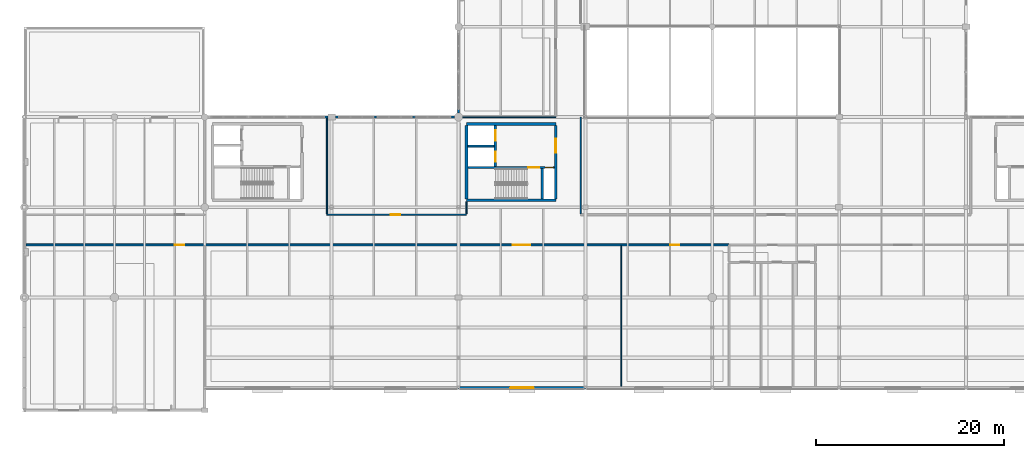
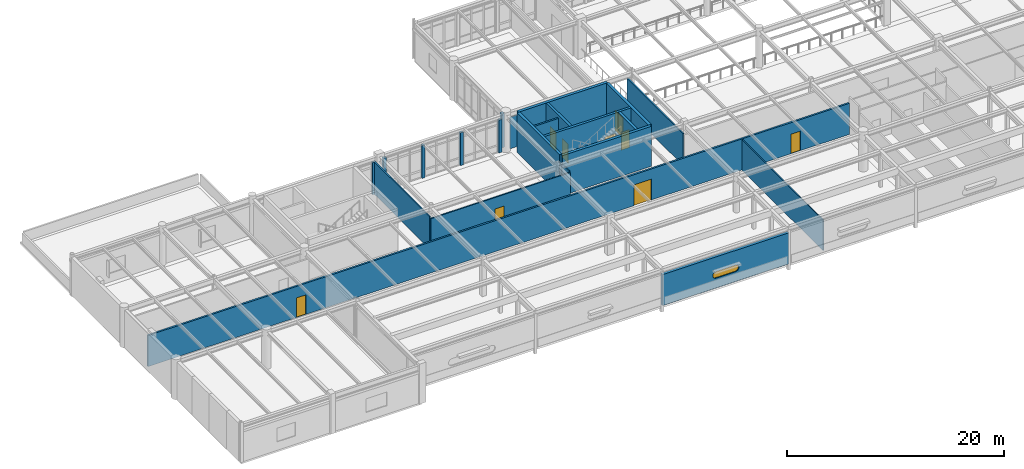
# One storey, part 47 of 61: 22 walls, 9 doors, 1 window, 10 openings.
"""IFC4 building model written with IfcOpenShell, lengths in metres."""

from ifc_helpers import new_model, si_unit, direction, frame, frame_2d, origin, place, context, subcontext, project, spatial, polyline, rectangle, outline, extrude, material, layer, layer_set, type_object, element, fill, save


model = new_model("IFC4")

# Units and contexts
model_context = context("Model", 3, precision=1e-05, world=origin(), true_north=direction((0.0, 1.0)))
body_context = subcontext(model_context, "Body", "Model", "MODEL_VIEW")
ifc_project = project(units=[si_unit("LENGTHUNIT", "METRE"), si_unit("AREAUNIT", "SQUARE_METRE"), si_unit("VOLUMEUNIT", "CUBIC_METRE"), si_unit("PLANEANGLEUNIT", "RADIAN"), si_unit("MASSUNIT", "GRAM", prefix="KILO")], contexts=[model_context])

# Site, building, storey
site_placement = place(None, origin())
site = spatial("IfcSite", under=ifc_project, at=site_placement, CompositionType="ELEMENT")
building_placement = place(site_placement, origin())
building = spatial("IfcBuilding", under=site, at=building_placement, Name="Fikremerkos Civic Library", CompositionType="ELEMENT")
storey_placement = place(building_placement, frame((0.0, 0.0, 14.39990234375)))
storey = spatial("IfcBuildingStorey", under=building, at=storey_placement, Name="L03", CompositionType="ELEMENT", Elevation=14.39990234375)

# Walls
ifc_material_1 = material(Name="Concrete C40/50", Category="concrete")
ifc_layer_1 = layer(ifc_material_1, 0.300048828125, Name="Concrete C40/50")
ifc_layer_set_1 = layer_set([ifc_layer_1], Name="Concrete C40/50")
wall_type_1 = type_object("IfcWallType", Name="Core shear wall CSW-01 300", PredefinedType="SHEAR", material=ifc_layer_set_1)
for number, where, z_axis, x_axis, name in (
    (1, (56.550048828125, 22.35009765625, 0.0), (0.0, 0.0, 1.0), (-1.0, 0.0, 0.0), "Core K3 south shear wall L03"),
    (2, (47.050048828125, 30.449951171875, 0.0), (0.0, 0.0, 1.0), (1.0, 0.0, 0.0), "Core K3 north shear wall L03"),
):
    element("IfcWall", number, at=place(storey_placement, frame(where, z_axis=z_axis, x_axis=x_axis)), inside=storey, type_object=wall_type_1, Name=name, PredefinedType="SHEAR", context=body_context, shape_type="SweptSolid", body=[
        extrude(rectangle(XDim=9.5, YDim=0.300048828125, at=frame_2d((4.75, 0.0))), origin(), (0.0, 0.0, 1.0), 4.5),
    ])
wall_1_placement = place(storey_placement, frame((47.050048828125, 22.501953125, 0.0), z_axis=(0.0, 0.0, 1.0), x_axis=(0.0, 1.0, 0.0)))
element("IfcWall", 3, at=wall_1_placement, inside=storey, type_object=wall_type_1, Name="Core K3 west shear wall L03", PredefinedType="SHEAR", context=body_context, shape_type="SweptSolid", body=[
    extrude(rectangle(XDim=7.796142578125, YDim=0.300048828125, at=frame_2d((3.89794921875, 0.0))), origin(), (0.0, 0.0, 1.0), 4.5),
])

# Wall, opening, door
wall_2_placement = place(storey_placement, frame((56.550048828125, 30.298095703125, 0.0), z_axis=(0.0, 0.0, 1.0), x_axis=(0.0, -1.0, 0.0)))
wall_2 = element("IfcWall", 4, at=wall_2_placement, inside=storey, type_object=wall_type_1, Name="Core K3 east shear wall L03", PredefinedType="SHEAR", context=body_context, shape_type="SweptSolid", body=[
    extrude(rectangle(XDim=7.796142578125, YDim=0.300048828125, at=frame_2d((3.89794921875, 0.0))), origin(), (0.0, 0.0, 1.0), 4.5),
])
opening_1_placement = place(wall_2_placement, frame((1.39794921875, 0.0, 0.0)))
opening_1 = element("IfcOpeningElement", 5, at=opening_1_placement, cuts=wall_2, Name="Opening D092", PredefinedType="OPENING", context=body_context, shape_type="SweptSolid", body=[
    extrude(rectangle(XDim=1.5, YDim=2.25, at=frame_2d((0.75, 1.125))), frame((0.0, 0.159912109375, 0.0), z_axis=(0.0, -1.0, 0.0), x_axis=(1.0, 0.0, 0.0)), (0.0, 0.0, 1.0), 0.320068359375),
])
ifc_material_2 = material(Name="Hardwood timber and acoustic glass", Category="wood")
door_type_1 = type_object("IfcDoorType", Name="Pedestrian door DT-05 1500x2250", OperationType="NOTDEFINED", PredefinedType="DOOR", material=ifc_material_2)
door_1_placement = place(opening_1_placement, origin())
door_1 = element("IfcDoor", 6, at=door_1_placement, inside=storey, type_object=door_type_1, Name="Core K3 lobby fire door D092 L03", OperationType="SINGLE_SWING_LEFT", OverallHeight=2.25, OverallWidth=1.5, PredefinedType="DOOR", context=body_context, shape_type="SweptSolid", body=[
    extrude(rectangle(XDim=1.5, YDim=2.25, at=frame_2d((0.75, 1.125))), frame((0.0, 0.032470703125, 0.0), z_axis=(0.0, -1.0, 0.0), x_axis=(1.0, 0.0, 0.0)), (0.0, 0.0, 1.0), 0.06494140625),
])
fill(opening_1, door_1)

# Wall, openings, doors
ifc_layer_2 = layer(ifc_material_1, 0.260009765625, Name="Concrete C40/50")
ifc_layer_set_2 = layer_set([ifc_layer_2], Name="Concrete C40/50")
wall_type_2 = type_object("IfcWallType", Name="Core shear wall CSW-02 260", PredefinedType="SHEAR", material=ifc_layer_set_2)
wall_3_placement = place(storey_placement, frame((47.201904296875, 25.830078125, 0.0), z_axis=(0.0, 0.0, 1.0), x_axis=(1.0, 0.0, 0.0)))
wall_3 = element("IfcWall", 7, at=wall_3_placement, inside=storey, type_object=wall_type_2, Name="Core K3 stair compartment wall L03", PredefinedType="SHEAR", context=body_context, shape_type="SweptSolid", body=[
    extrude(rectangle(XDim=9.196044921875, YDim=0.260009765625, at=frame_2d((4.59814453125, 0.0))), origin(), (0.0, 0.0, 1.0), 4.5),
])
opening_2_placement = place(wall_3_placement, frame((6.39794921875, 0.0, 0.0)))
opening_2 = element("IfcOpeningElement", 8, at=opening_2_placement, cuts=wall_3, Name="Opening D093", PredefinedType="OPENING", context=body_context, shape_type="SweptSolid", body=[
    extrude(rectangle(XDim=1.199951171875, YDim=2.199951171875, at=frame_2d((0.60009765625, 1.10009765625))), frame((0.0, 0.139892578125, 0.0), z_axis=(0.0, -1.0, 0.0), x_axis=(1.0, 0.0, 0.0)), (0.0, 0.0, 1.0), 0.280029296875),
])
opening_3_placement = place(wall_3_placement, frame((8.202880859375, 0.0, 0.0)))
opening_3 = element("IfcOpeningElement", 9, at=opening_3_placement, cuts=wall_3, Name="Opening D094", PredefinedType="OPENING", context=body_context, shape_type="SweptSolid", body=[
    extrude(rectangle(XDim=0.85009765625, YDim=2.050048828125, at=frame_2d((0.425048828125, 1.02490234375))), frame((0.0, 0.139892578125, 0.0), z_axis=(0.0, -1.0, 0.0), x_axis=(1.0, 0.0, 0.0)), (0.0, 0.0, 1.0), 0.280029296875),
])
door_type_2 = type_object("IfcDoorType", Name="Pedestrian door DT-06 1200x2200", OperationType="NOTDEFINED", PredefinedType="DOOR", material=ifc_material_2)
door_2_placement = place(opening_2_placement, origin())
door_2 = element("IfcDoor", 10, at=door_2_placement, inside=storey, type_object=door_type_2, Name="Core K3 stair fire door D093 L03", OperationType="SINGLE_SWING_LEFT", OverallHeight=2.199951171875, OverallWidth=1.199951171875, PredefinedType="DOOR", context=body_context, shape_type="SweptSolid", body=[
    extrude(rectangle(XDim=1.199951171875, YDim=2.199951171875, at=frame_2d((0.60009765625, 1.10009765625))), frame((0.0, 0.032470703125, 0.0), z_axis=(0.0, -1.0, 0.0), x_axis=(1.0, 0.0, 0.0)), (0.0, 0.0, 1.0), 0.06494140625),
])
fill(opening_2, door_2)
door_type_3 = type_object("IfcDoorType", Name="Pedestrian door DT-08 850x2050", OperationType="NOTDEFINED", PredefinedType="DOOR", material=ifc_material_2)
door_3_placement = place(opening_3_placement, origin())
door_3 = element("IfcDoor", 11, at=door_3_placement, inside=storey, type_object=door_type_3, Name="Core K3 riser access fire door D094 L03", OperationType="SINGLE_SWING_LEFT", OverallHeight=2.050048828125, OverallWidth=0.85009765625, PredefinedType="DOOR", context=body_context, shape_type="SweptSolid", body=[
    extrude(rectangle(XDim=0.85009765625, YDim=2.050048828125, at=frame_2d((0.425048828125, 1.02490234375))), frame((0.0, 0.032470703125, 0.0), z_axis=(0.0, -1.0, 0.0), x_axis=(1.0, 0.0, 0.0)), (0.0, 0.0, 1.0), 0.06494140625),
])
fill(opening_3, door_3)

# Wall
wall_4_placement = place(storey_placement, frame((55.1298828125, 22.501953125, 0.0), z_axis=(0.0, 0.0, 1.0), x_axis=(0.0, 1.0, 0.0)))
element("IfcWall", 12, at=wall_4_placement, inside=storey, type_object=wall_type_2, Name="Core K3 stair-riser shear wall L03", PredefinedType="SHEAR", context=body_context, shape_type="SweptSolid", body=[
    extrude(rectangle(XDim=3.196044921875, YDim=0.260009765625, at=frame_2d((1.59814453125, 0.0))), origin(), (0.0, 0.0, 1.0), 4.5),
])

# Wall, openings, doors
wall_5_placement = place(storey_placement, frame((50.1298828125, 25.9619140625, 0.0), z_axis=(0.0, 0.0, 1.0), x_axis=(0.0, 1.0, 0.0)))
wall_5 = element("IfcWall", 13, at=wall_5_placement, inside=storey, type_object=wall_type_2, Name="Core K3 lift shaft front wall L03", PredefinedType="SHEAR", context=body_context, shape_type="SweptSolid", body=[
    extrude(rectangle(XDim=4.336181640625, YDim=0.260009765625, at=frame_2d((2.16796875, 0.0))), origin(), (0.0, 0.0, 1.0), 4.5),
])
opening_4_placement = place(wall_5_placement, frame((0.468017578125, 0.0, 0.0)))
opening_4 = element("IfcOpeningElement", 14, at=opening_4_placement, cuts=wall_5, Name="Opening LD43", PredefinedType="OPENING", context=body_context, shape_type="SweptSolid", body=[
    extrude(rectangle(XDim=1.10009765625, YDim=2.14990234375, at=frame_2d((0.550048828125, 1.074951171875))), frame((0.0, 0.139892578125, 0.0), z_axis=(0.0, -1.0, 0.0), x_axis=(1.0, 0.0, 0.0)), (0.0, 0.0, 1.0), 0.280029296875),
])
opening_5_placement = place(wall_5_placement, frame((2.738037109375, 0.0, 0.0)))
opening_5 = element("IfcOpeningElement", 15, at=opening_5_placement, cuts=wall_5, Name="Opening LD44", PredefinedType="OPENING", context=body_context, shape_type="SweptSolid", body=[
    extrude(rectangle(XDim=1.10009765625, YDim=2.14990234375, at=frame_2d((0.550048828125, 1.074951171875))), frame((0.0, 0.139892578125, 0.0), z_axis=(0.0, -1.0, 0.0), x_axis=(1.0, 0.0, 0.0)), (0.0, 0.0, 1.0), 0.280029296875),
])
ifc_material_3 = material(Name="Brushed stainless steel", Category="steel")
door_type_4 = type_object("IfcDoorType", Name="Lift landing door LDT-01 1100x2150", OperationType="NOTDEFINED", PredefinedType="DOOR", material=ifc_material_3)
door_4_placement = place(opening_4_placement, origin())
door_4 = element("IfcDoor", 16, at=door_4_placement, inside=storey, type_object=door_type_4, Name="Lift LF05 sliding landing door LD43 L03", OperationType="SLIDING_TO_LEFT", OverallHeight=2.14990234375, OverallWidth=1.10009765625, PredefinedType="DOOR", context=body_context, shape_type="SweptSolid", body=[
    extrude(rectangle(XDim=1.10009765625, YDim=2.14990234375, at=frame_2d((0.550048828125, 1.074951171875))), frame((0.0, 0.032470703125, 0.0), z_axis=(0.0, -1.0, 0.0), x_axis=(1.0, 0.0, 0.0)), (0.0, 0.0, 1.0), 0.06494140625),
])
fill(opening_4, door_4)
door_5_placement = place(opening_5_placement, origin())
door_5 = element("IfcDoor", 17, at=door_5_placement, inside=storey, type_object=door_type_4, Name="Lift LF06 sliding landing door LD44 L03", OperationType="SLIDING_TO_LEFT", OverallHeight=2.14990234375, OverallWidth=1.10009765625, PredefinedType="DOOR", context=body_context, shape_type="SweptSolid", body=[
    extrude(rectangle(XDim=1.10009765625, YDim=2.14990234375, at=frame_2d((0.550048828125, 1.074951171875))), frame((0.0, 0.032470703125, 0.0), z_axis=(0.0, -1.0, 0.0), x_axis=(1.0, 0.0, 0.0)), (0.0, 0.0, 1.0), 0.06494140625),
])
fill(opening_5, door_5)

# Wall, opening, window
ifc_material_4 = material(Name="Precast concrete C40/50", Category="concrete")
ifc_layer_3 = layer(ifc_material_4, 0.280029296875, Name="Precast concrete C40/50")
ifc_layer_set_3 = layer_set([ifc_layer_3], Name="Precast concrete C40/50")
wall_type_3 = type_object("IfcWallType", Name="Exterior solid wall ESW-04 280", PredefinedType="SOLIDWALL", material=ifc_layer_set_3)
wall_6_placement = place(storey_placement, frame((59.697998046875, 2.39990234375, 0.0), z_axis=(0.0, 0.0, 1.0), x_axis=(-1.0, 0.0, 0.0)))
wall_6 = element("IfcWall", 18, at=wall_6_placement, inside=storey, type_object=wall_type_3, Name="Cantilever concrete band wall ESW-04 L03 #599", PredefinedType="SOLIDWALL", context=body_context, shape_type="SweptSolid", body=[
    extrude(rectangle(XDim=13.49609375, YDim=0.280029296875, at=frame_2d((6.748046875, 0.0))), origin(), (0.0, 0.0, 1.0), 3.5),
])
opening_6_placement = place(wall_6_placement, frame((5.347900390625, 0.0, 1.10009765625)))
opening_6 = element("IfcOpeningElement", 19, at=opening_6_placement, cuts=wall_6, Name="Opening SW-07", PredefinedType="OPENING", context=body_context, shape_type="SweptSolid", body=[
    extrude(outline(polyline([(0.375, 0.75), (0.246826171875, 0.727294921875), (0.134033203125, 0.662353515625), (0.05029296875, 0.5625), (0.005615234375, 0.440185546875), (0.005615234375, 0.309814453125), (0.05029296875, 0.1875), (0.134033203125, 0.087646484375), (0.246826171875, 0.022705078125), (0.375, 0.0), (2.425048828125, 0.0), (2.55322265625, 0.022705078125), (2.666015625, 0.087646484375), (2.749755859375, 0.1875), (2.79443359375, 0.309814453125), (2.79443359375, 0.440185546875), (2.749755859375, 0.5625), (2.666015625, 0.662353515625), (2.55322265625, 0.727294921875), (2.425048828125, 0.75), (0.375, 0.75)])), frame((0.0, 0.14990234375, 0.0), z_axis=(0.0, -1.0, 0.0), x_axis=(1.0, 0.0, 0.0)), (0.0, 0.0, 1.0), 0.300048828125),
])
ifc_material_5 = material(Name="Solar control double glazing", Category="glass")
window_type = type_object("IfcWindowType", Name="Facade slot window SW-07 2800x750", PartitioningType="SINGLE_PANEL", PredefinedType="WINDOW", material=ifc_material_5)
window_placement = place(opening_6_placement, origin())
window = element("IfcWindow", 20, at=window_placement, inside=storey, type_object=window_type, Name="Rounded-end facade slot window SW-07 L03 #19", OverallHeight=0.75, OverallWidth=2.800048828125, PartitioningType="SINGLE_PANEL", PredefinedType="WINDOW", context=body_context, shape_type="SweptSolid", body=[
    extrude(outline(polyline([(0.375, 0.75), (0.246826171875, 0.727294921875), (0.134033203125, 0.662353515625), (0.05029296875, 0.5625), (0.005615234375, 0.440185546875), (0.005615234375, 0.309814453125), (0.05029296875, 0.1875), (0.134033203125, 0.087646484375), (0.246826171875, 0.022705078125), (0.375, 0.0), (2.425048828125, 0.0), (2.55322265625, 0.022705078125), (2.666015625, 0.087646484375), (2.749755859375, 0.1875), (2.79443359375, 0.309814453125), (2.79443359375, 0.440185546875), (2.749755859375, 0.5625), (2.666015625, 0.662353515625), (2.55322265625, 0.727294921875), (2.425048828125, 0.75), (0.375, 0.75)])), frame((0.0, 0.032470703125, 0.0), z_axis=(0.0, -1.0, 0.0), x_axis=(1.0, 0.0, 0.0)), (0.0, 0.0, 1.0), 0.06494140625),
])
fill(opening_6, window)

# Walls
ifc_layer_4 = layer(ifc_material_4, 0.25, Name="Precast concrete C40/50")
ifc_layer_set_4 = layer_set([ifc_layer_4], Name="Precast concrete C40/50")
wall_type_4 = type_object("IfcWallType", Name="Exterior solid wall ESW-05 250", PredefinedType="SOLIDWALL", material=ifc_layer_set_4)
wall_7_placement = place(storey_placement, frame((31.951904296875, 31.199951171875, 0.0), z_axis=(0.0, 0.0, 1.0), x_axis=(1.0, 0.0, 0.0)))
element("IfcWall", 21, at=wall_7_placement, inside=storey, type_object=wall_type_4, Name="Exterior facade pier ESW-05 #555", PredefinedType="SOLIDWALL", context=body_context, shape_type="SweptSolid", body=[
    extrude(rectangle(XDim=0.35009765625, YDim=0.25, at=frame_2d((0.175048828125, 0.0))), origin(), (0.0, 0.0, 1.0), 3.60009765625),
])
wall_8_placement = place(storey_placement, frame((33.097900390625, 31.199951171875, 0.0), z_axis=(0.0, 0.0, 1.0), x_axis=(1.0, 0.0, 0.0)))
element("IfcWall", 22, at=wall_8_placement, inside=storey, type_object=wall_type_4, Name="Exterior facade pier ESW-05 #558", PredefinedType="SOLIDWALL", context=body_context, shape_type="SweptSolid", body=[
    extrude(rectangle(XDim=0.35009765625, YDim=0.25, at=frame_2d((0.175048828125, 0.0))), origin(), (0.0, 0.0, 1.0), 3.7001953125),
])
wall_9_placement = place(storey_placement, frame((45.402099609375, 31.199951171875, 0.0), z_axis=(0.0, 0.0, 1.0), x_axis=(1.0, 0.0, 0.0)))
element("IfcWall", 23, at=wall_9_placement, inside=storey, type_object=wall_type_4, Name="Exterior facade pier ESW-05 #559", PredefinedType="SOLIDWALL", context=body_context, shape_type="SweptSolid", body=[
    extrude(rectangle(XDim=0.349853515625, YDim=0.25, at=frame_2d((0.1748046875, 0.0))), origin(), (0.0, 0.0, 1.0), 3.7001953125),
])
for number, where, z_axis, x_axis, name in (
    (24, (37.232666015625, 31.199951171875, 0.0), (0.0, 0.0, 1.0), (1.0, 0.0, 0.0), "Exterior facade mullion pier ESW-05 #560"),
    (25, (41.3173828125, 31.199951171875, 0.0), (0.0, 0.0, 1.0), (1.0, 0.0, 0.0), "Exterior facade mullion pier ESW-05 #561"),
):
    element("IfcWall", number, at=place(storey_placement, frame(where, z_axis=z_axis, x_axis=x_axis)), inside=storey, type_object=wall_type_4, Name=name, PredefinedType="SOLIDWALL", context=body_context, shape_type="SweptSolid", body=[
        extrude(rectangle(XDim=0.300048828125, YDim=0.25, at=frame_2d((0.14990234375, 0.0))), origin(), (0.0, 0.0, 1.0), 3.7001953125),
    ])
wall_10_placement = place(storey_placement, frame((46.199951171875, 31.64794921875, 0.0), z_axis=(0.0, 0.0, 1.0), x_axis=(0.0, 1.0, 0.0)))
element("IfcWall", 26, at=wall_10_placement, inside=storey, type_object=wall_type_4, Name="Exterior facade pier ESW-05 #562", PredefinedType="SOLIDWALL", context=body_context, shape_type="SweptSolid", body=[
    extrude(rectangle(XDim=0.35009765625, YDim=0.25, at=frame_2d((0.175048828125, 0.0))), origin(), (0.0, 0.0, 1.0), 3.820068359375),
])

# Wall, openings, doors
ifc_material_6 = material(Name="Acoustic concrete blockwork", Category="masonry")
ifc_layer_5 = layer(ifc_material_6, 0.18994140625, Name="Acoustic concrete blockwork")
ifc_layer_set_5 = layer_set([ifc_layer_5], Name="Acoustic concrete blockwork")
wall_type_5 = type_object("IfcWallType", Name="Interior partition wall IPW-01 190", PredefinedType="PARTITIONING", material=ifc_layer_set_5)
wall_11_placement = place(storey_placement, frame((0.177978515625, 17.60009765625, 0.0), z_axis=(0.0, 0.0, 1.0), x_axis=(1.0, 0.0, 0.0)))
wall_11 = element("IfcWall", 27, at=wall_11_placement, inside=storey, type_object=wall_type_5, Name="Interior wall IPW-01 L03 #212", PredefinedType="PARTITIONING", context=body_context, shape_type="SweptSolid", body=[
    extrude(rectangle(XDim=74.77197265625, YDim=0.18994140625, at=frame_2d((37.385986328125, 0.0))), origin(), (0.0, 0.0, 1.0), 3.5),
])
opening_7_placement = place(wall_11_placement, frame((15.822021484375, 0.0, 0.0)))
opening_7 = element("IfcOpeningElement", 28, at=opening_7_placement, cuts=wall_11, Name="Opening D232", PredefinedType="OPENING", context=body_context, shape_type="SweptSolid", body=[
    extrude(rectangle(XDim=1.0, YDim=2.199951171875, at=frame_2d((0.5, 1.10009765625))), frame((0.0, 0.10498046875, 0.0), z_axis=(0.0, -1.0, 0.0), x_axis=(1.0, 0.0, 0.0)), (0.0, 0.0, 1.0), 0.2099609375),
])
opening_8_placement = place(wall_11_placement, frame((51.797119140625, 0.0, 0.0)))
opening_8 = element("IfcOpeningElement", 29, at=opening_8_placement, cuts=wall_11, Name="Opening D234", PredefinedType="OPENING", context=body_context, shape_type="SweptSolid", body=[
    extrude(rectangle(XDim=1.85009765625, YDim=2.35009765625, at=frame_2d((0.925048828125, 1.175048828125))), frame((0.0, 0.10498046875, 0.0), z_axis=(0.0, -1.0, 0.0), x_axis=(1.0, 0.0, 0.0)), (0.0, 0.0, 1.0), 0.2099609375),
])
opening_9_placement = place(wall_11_placement, frame((68.52197265625, 0.0, 0.0)))
opening_9 = element("IfcOpeningElement", 30, at=opening_9_placement, cuts=wall_11, Name="Opening D235", PredefinedType="OPENING", context=body_context, shape_type="SweptSolid", body=[
    extrude(rectangle(XDim=1.0, YDim=2.199951171875, at=frame_2d((0.5, 1.10009765625))), frame((0.0, 0.10498046875, 0.0), z_axis=(0.0, -1.0, 0.0), x_axis=(1.0, 0.0, 0.0)), (0.0, 0.0, 1.0), 0.2099609375),
])
door_type_5 = type_object("IfcDoorType", Name="Pedestrian door DT-01 1000x2200", OperationType="NOTDEFINED", PredefinedType="DOOR", material=ifc_material_2)
door_6_placement = place(opening_7_placement, origin())
door_6 = element("IfcDoor", 31, at=door_6_placement, inside=storey, type_object=door_type_5, Name="Interior door D232 L03", OperationType="SINGLE_SWING_LEFT", OverallHeight=2.199951171875, OverallWidth=1.0, PredefinedType="DOOR", context=body_context, shape_type="SweptSolid", body=[
    extrude(rectangle(XDim=1.0, YDim=2.199951171875, at=frame_2d((0.5, 1.10009765625))), frame((0.0, 0.032470703125, 0.0), z_axis=(0.0, -1.0, 0.0), x_axis=(1.0, 0.0, 0.0)), (0.0, 0.0, 1.0), 0.06494140625),
])
fill(opening_7, door_6)
door_7_placement = place(opening_9_placement, origin())
door_7 = element("IfcDoor", 32, at=door_7_placement, inside=storey, type_object=door_type_5, Name="Interior door D235 L03", OperationType="SINGLE_SWING_LEFT", OverallHeight=2.199951171875, OverallWidth=1.0, PredefinedType="DOOR", context=body_context, shape_type="SweptSolid", body=[
    extrude(rectangle(XDim=1.0, YDim=2.199951171875, at=frame_2d((0.5, 1.10009765625))), frame((0.0, 0.032470703125, 0.0), z_axis=(0.0, -1.0, 0.0), x_axis=(1.0, 0.0, 0.0)), (0.0, 0.0, 1.0), 0.06494140625),
])
fill(opening_9, door_7)
door_type_6 = type_object("IfcDoorType", Name="Pedestrian door DT-09 1850x2350", OperationType="NOTDEFINED", PredefinedType="DOOR", material=ifc_material_2)
door_8_placement = place(opening_8_placement, origin())
door_8 = element("IfcDoor", 33, at=door_8_placement, inside=storey, type_object=door_type_6, Name="Interior door D234 L03", OperationType="SINGLE_SWING_LEFT", OverallHeight=2.35009765625, OverallWidth=1.85009765625, PredefinedType="DOOR", context=body_context, shape_type="SweptSolid", body=[
    extrude(rectangle(XDim=1.85009765625, YDim=2.35009765625, at=frame_2d((0.925048828125, 1.175048828125))), frame((0.0, 0.032470703125, 0.0), z_axis=(0.0, -1.0, 0.0), x_axis=(1.0, 0.0, 0.0)), (0.0, 0.0, 1.0), 0.06494140625),
])
fill(opening_8, door_8)

# Wall
ifc_material_7 = material(Name="Acoustic gypsum stud partition")
ifc_layer_6 = layer(ifc_material_7, 0.14990234375, Name="Acoustic gypsum stud partition")
ifc_layer_set_6 = layer_set([ifc_layer_6], Name="Acoustic gypsum stud partition")
wall_type_6 = type_object("IfcWallType", Name="Interior partition wall IPW-02 150", PredefinedType="PARTITIONING", material=ifc_layer_set_6)
wall_12_placement = place(storey_placement, frame((59.199951171875, 20.905029296875, 0.0), z_axis=(0.0, 0.0, 1.0), x_axis=(0.0, 1.0, 0.0)))
element("IfcWall", 34, at=wall_12_placement, inside=storey, type_object=wall_type_6, Name="Interior wall IPW-02 L03 #225", PredefinedType="PARTITIONING", context=body_context, shape_type="SweptSolid", body=[
    extrude(rectangle(XDim=10.294921875, YDim=0.14990234375, at=frame_2d((5.1474609375, 0.0))), origin(), (0.0, 0.0, 1.0), 3.550048828125),
])

# Wall, opening, door
ifc_material_8 = material(Name="Gypsum metal stud partition")
ifc_layer_7 = layer(ifc_material_8, 0.1298828125, Name="Gypsum metal stud partition")
ifc_layer_set_7 = layer_set([ifc_layer_7], Name="Gypsum metal stud partition")
wall_type_7 = type_object("IfcWallType", Name="Interior partition wall IPW-03 130", PredefinedType="PARTITIONING", material=ifc_layer_set_7)
wall_13_placement = place(storey_placement, frame((32.199951171875, 20.800048828125, 0.0), z_axis=(0.0, 0.0, 1.0), x_axis=(1.0, 0.0, 0.0)))
wall_13 = element("IfcWall", 35, at=wall_13_placement, inside=storey, type_object=wall_type_7, Name="Interior wall IPW-03 L03 #214", PredefinedType="PARTITIONING", context=body_context, shape_type="SweptSolid", body=[
    extrude(rectangle(XDim=14.85009765625, YDim=0.1298828125, at=frame_2d((7.425048828125, 0.0))), origin(), (0.0, 0.0, 1.0), 3.5),
])
opening_10_placement = place(wall_13_placement, frame((6.800048828125, 0.0, 0.0)))
opening_10 = element("IfcOpeningElement", 36, at=opening_10_placement, cuts=wall_13, Name="Opening D238", PredefinedType="OPENING", context=body_context, shape_type="SweptSolid", body=[
    extrude(rectangle(XDim=1.0, YDim=2.199951171875, at=frame_2d((0.5, 1.10009765625))), frame((0.0, 0.074951171875, 0.0), z_axis=(0.0, -1.0, 0.0), x_axis=(1.0, 0.0, 0.0)), (0.0, 0.0, 1.0), 0.14990234375),
])
door_9_placement = place(opening_10_placement, origin())
door_9 = element("IfcDoor", 37, at=door_9_placement, inside=storey, type_object=door_type_5, Name="Interior door D238 L03", OperationType="SINGLE_SWING_RIGHT", OverallHeight=2.199951171875, OverallWidth=1.0, PredefinedType="DOOR", context=body_context, shape_type="SweptSolid", body=[
    extrude(rectangle(XDim=1.0, YDim=2.199951171875, at=frame_2d((0.5, 1.10009765625))), frame((0.0, 0.032470703125, 0.0), z_axis=(0.0, -1.0, 0.0), x_axis=(1.0, 0.0, 0.0)), (0.0, 0.0, 1.0), 0.06494140625),
])
fill(opening_10, door_9)

# Walls
wall_14_placement = place(storey_placement, frame((32.199951171875, 20.905029296875, 0.0), z_axis=(0.0, 0.0, 1.0), x_axis=(0.0, 1.0, 0.0)))
element("IfcWall", 38, at=wall_14_placement, inside=storey, type_object=wall_type_7, Name="Interior wall IPW-03 L03 #222", PredefinedType="PARTITIONING", context=body_context, shape_type="SweptSolid", body=[
    extrude(rectangle(XDim=10.166015625, YDim=0.1298828125, at=frame_2d((5.0830078125, 0.0))), origin(), (0.0, 0.0, 1.0), 3.650146484375),
])
ifc_material_9 = material(Name="Lightweight metal stud partition")
ifc_layer_8 = layer(ifc_material_9, 0.110107421875, Name="Lightweight metal stud partition")
ifc_layer_set_8 = layer_set([ifc_layer_8], Name="Lightweight metal stud partition")
wall_type_8 = type_object("IfcWallType", Name="Interior partition wall IPW-04 110", PredefinedType="PARTITIONING", material=ifc_layer_set_8)
wall_15_placement = place(storey_placement, frame((46.653076171875, 31.199951171875, 0.0), z_axis=(0.0, 0.0, 1.0), x_axis=(1.0, 0.0, 0.0)))
element("IfcWall", 39, at=wall_15_placement, inside=storey, type_object=wall_type_8, Name="Interior wall IPW-04 L03 #215", PredefinedType="PARTITIONING", context=body_context, shape_type="SweptSolid", body=[
    extrude(rectangle(XDim=9.89697265625, YDim=0.110107421875, at=frame_2d((4.948486328125, 0.0))), origin(), (0.0, 0.0, 1.0), 3.550048828125),
])
wall_16_placement = place(storey_placement, frame((47.050048828125, 20.905029296875, 0.0), z_axis=(0.0, 0.0, 1.0), x_axis=(0.0, 1.0, 0.0)))
element("IfcWall", 40, at=wall_16_placement, inside=storey, type_object=wall_type_8, Name="Interior wall IPW-04 L03 #223", PredefinedType="PARTITIONING", context=body_context, shape_type="SweptSolid", body=[
    extrude(rectangle(XDim=1.2919921875, YDim=0.110107421875, at=frame_2d((0.64599609375, 0.0))), origin(), (0.0, 0.0, 1.0), 3.60009765625),
])
wall_17_placement = place(storey_placement, frame((63.5, 2.54296875, 0.0), z_axis=(0.0, 0.0, 1.0), x_axis=(0.0, 1.0, 0.0)))
element("IfcWall", 41, at=wall_17_placement, inside=storey, type_object=wall_type_8, Name="Interior wall IPW-04 L03 #227", PredefinedType="PARTITIONING", context=body_context, shape_type="SweptSolid", body=[
    extrude(rectangle(XDim=14.9521484375, YDim=0.110107421875, at=frame_2d((7.47607421875, 0.0))), origin(), (0.0, 0.0, 1.0), 3.43017578125),
])
ifc_material_10 = material(Name="Concrete C35/45", Category="concrete")
ifc_layer_9 = layer(ifc_material_10, 0.199951171875, Name="Concrete C35/45")
ifc_layer_set_9 = layer_set([ifc_layer_9], Name="Concrete C35/45")
wall_type_9 = type_object("IfcWallType", Name="Service duct wall SDW-01 200", PredefinedType="PLUMBINGWALL", material=ifc_layer_set_9)
wall_18_placement = place(storey_placement, frame((47.201904296875, 28.10009765625, 0.0), z_axis=(0.0, 0.0, 1.0), x_axis=(1.0, 0.0, 0.0)))
element("IfcWall", 42, at=wall_18_placement, inside=storey, type_object=wall_type_9, Name="Core K3 inter-lift shaft wall L03", PredefinedType="PLUMBINGWALL", context=body_context, shape_type="SweptSolid", body=[
    extrude(rectangle(XDim=2.796142578125, YDim=0.199951171875, at=frame_2d((1.39794921875, 0.0))), origin(), (0.0, 0.0, 1.0), 4.16015625),
])

save(model, "model.ifc")
